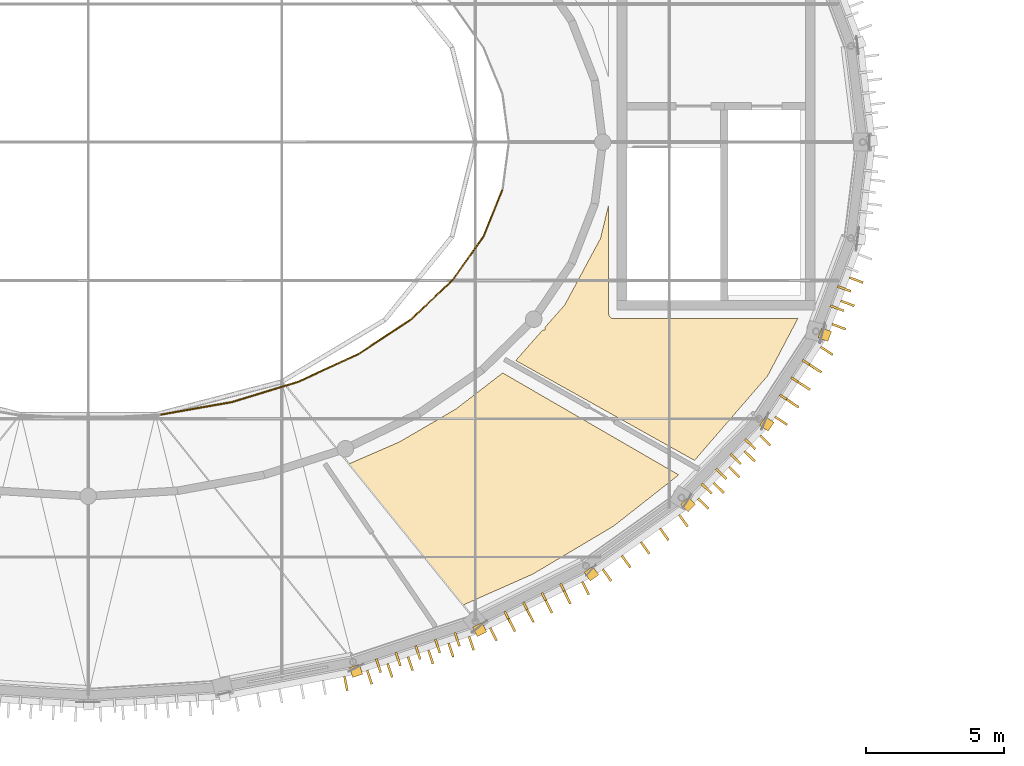
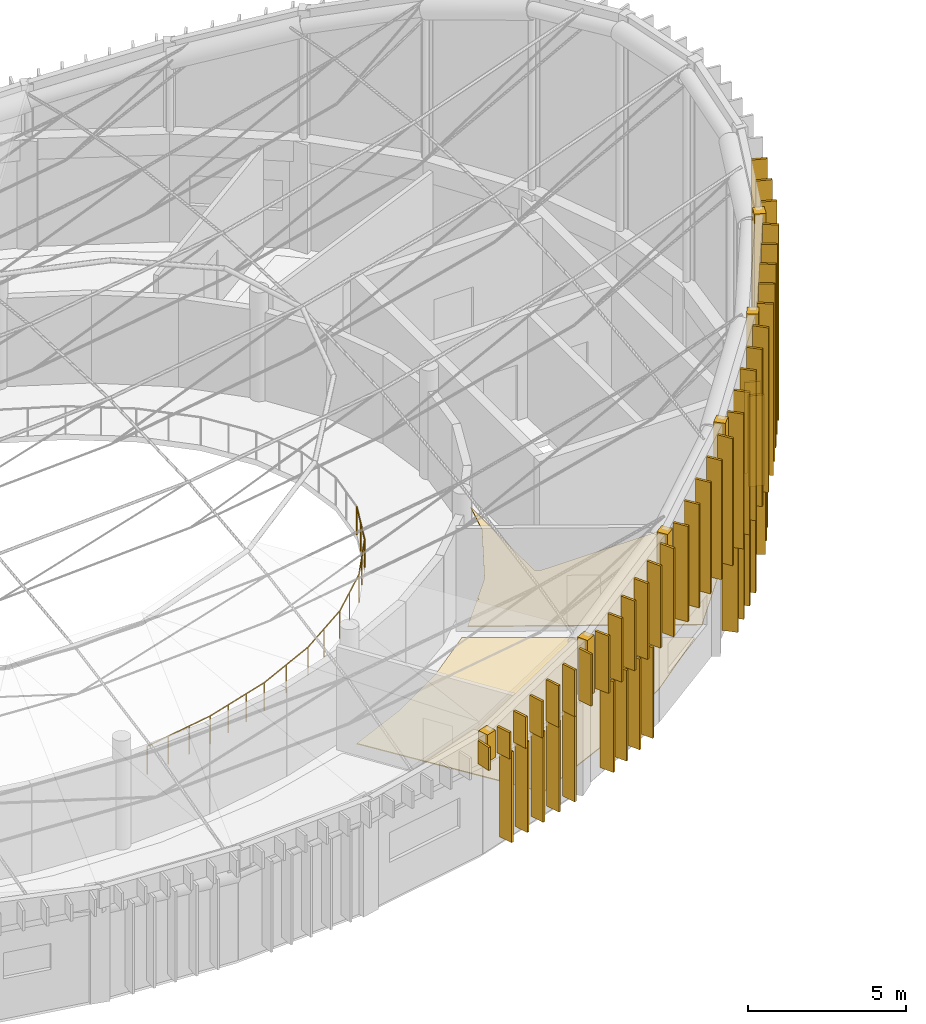
# One storey, part 32 of 36: 49 shading devices, 8 coverings, 7 railings.
"""IFC4 building model written with IfcOpenShell, lengths in metres."""

from ifc_helpers import new_model, si_unit, direction, frame, origin, origin_2d, place, context, subcontext, project, spatial, polyline, rectangle, circle, outline, extrude, material, layer, layer_set, type_object, element, save


model = new_model("IFC4")

# Units and contexts
model_context = context("Model", 3, precision=1e-05, world=origin(), true_north=direction((0.0, 1.0)))
body_context = subcontext(model_context, "Body", "Model", "MODEL_VIEW")
ifc_project = project(units=[si_unit("LENGTHUNIT", "METRE"), si_unit("AREAUNIT", "SQUARE_METRE"), si_unit("VOLUMEUNIT", "CUBIC_METRE"), si_unit("PLANEANGLEUNIT", "RADIAN"), si_unit("MASSUNIT", "GRAM", prefix="KILO")], contexts=[model_context])

# Site, building, storey
site_placement = place(None, origin())
site = spatial("IfcSite", under=ifc_project, at=site_placement, CompositionType="ELEMENT")
building_placement = place(site_placement, origin())
building = spatial("IfcBuilding", under=site, at=building_placement, Name="Tarnveldt Headland Concert Hall", CompositionType="ELEMENT")
storey_placement = place(building_placement, frame((0.0, 0.0, 22.800048828125)))
storey = spatial("IfcBuildingStorey", under=building, at=storey_placement, Name="L05", CompositionType="ELEMENT", Elevation=22.800048828125)

# Coverings
ifc_material_1 = material(Name="Polished coral-aggregate cementitious terrazzo flooring", Category="concrete")
ifc_layer_1 = layer(ifc_material_1, 0.034912109375, Name="Polished coral-aggregate cementitious terrazzo flooring", Category="concrete")
ifc_layer_set_1 = layer_set([ifc_layer_1], Name="Polished coral-aggregate cementitious terrazzo flooring")
covering_type_1 = type_object("IfcCoveringType", Name="CV-FLOR35", PredefinedType="FLOORING", material=ifc_layer_set_1)
covering_1_placement = place(storey_placement, origin())
element("IfcCovering", 1, at=covering_1_placement, inside=storey, type_object=covering_type_1, Name="Architectural flooring L05-06-130", PredefinedType="FLOORING", context=body_context, shape_type="SweptSolid", body=[
    extrude(outline(polyline([(102.32080078125, 48.282470703125), (102.323486328125, 48.264892578125), (102.327880859375, 48.247802734375), (102.333740234375, 48.231201171875), (102.34130859375, 48.215087890625), (102.350341796875, 48.199951171875), (102.36083984375, 48.185791015625), (102.372802734375, 48.172607421875), (102.3857421875, 48.160888671875), (102.39990234375, 48.150390625), (102.4150390625, 48.141357421875), (102.43115234375, 48.1337890625), (102.44775390625, 48.127685546875), (102.46484375, 48.12353515625), (102.482421875, 48.120849609375), (102.5, 48.1201171875), (109.156494140625, 48.1201171875), (108.067138671875, 46.053955078125), (105.422119140625, 42.993408203125), (98.956787109375, 46.604248046875), (99.923095703125, 47.699951171875), (100.008056640625, 47.699951171875), (100.008056640625, 47.79638671875), (100.712158203125, 48.594482421875), (100.724853515625, 48.610595703125), (100.735595703125, 48.628173828125), (102.010986328125, 50.998291015625), (102.017822265625, 51.01220703125), (102.023193359375, 51.026611328125), (102.027587890625, 51.04150390625), (102.320068359375, 52.25537109375), (102.320068359375, 48.300048828125), (102.32080078125, 48.282470703125)])), origin(), (0.0, 0.0, 1.0), 0.034912109375),
])
covering_2_placement = place(storey_placement, origin())
element("IfcCovering", 2, at=covering_2_placement, inside=storey, type_object=covering_type_1, Name="Architectural flooring L05-10-135", PredefinedType="FLOORING", context=body_context, shape_type="SweptSolid", body=[
    extrude(outline(polyline([(92.6962890625, 42.768798828125), (94.739501953125, 43.656005859375), (94.758544921875, 43.66552734375), (96.789306640625, 44.84912109375), (96.80859375, 44.8623046875), (98.486572265625, 46.156982421875), (104.850341796875, 42.4716796875), (102.5009765625, 40.62158203125), (99.581298828125, 38.884521484375), (96.471435546875, 37.50634765625), (92.6962890625, 42.768798828125)])), origin(), (0.0, 0.0, 1.0), 0.034912109375),
])
ifc_material_2 = material(Name="Coral-toned precast concrete C40/50", Category="concrete")
ifc_layer_2 = layer(ifc_material_2, 0.360107421875, Name="Coral-toned precast concrete C40/50", Category="concrete")
ifc_layer_set_2 = layer_set([ifc_layer_2], Name="Coral-toned precast concrete C40/50")
covering_type_2 = type_object("IfcCoveringType", Name="CV-JNT360", PredefinedType="CLADDING", material=ifc_layer_set_2)
covering_3_placement = place(storey_placement, frame((93.18408203125, 35.383544921875, 3.800048828125), z_axis=(0.0, 0.0, 1.0), x_axis=(0.315980237922, -0.948765771538, 0.0)))
element("IfcCovering", 3, at=covering_3_placement, inside=storey, type_object=covering_type_2, Name="Precast facade joint closure pilaster L05-369", PredefinedType="CLADDING", context=body_context, shape_type="SweptSolid", body=[
    extrude(rectangle(XDim=0.3798828125, YDim=0.3798828125, at=origin_2d()), origin(), (0.0, 0.0, 1.0), 1.04931640625),
])
covering_4_placement = place(storey_placement, frame((97.652099609375, 36.87548828125, 3.7998046875), z_axis=(0.0, 0.0, 1.0), x_axis=(0.447290848419, -0.89438856037, 0.0)))
element("IfcCovering", 4, at=covering_4_placement, inside=storey, type_object=covering_type_2, Name="Precast facade joint closure pilaster L05-371", PredefinedType="CLADDING", context=body_context, shape_type="SweptSolid", body=[
    extrude(rectangle(XDim=0.3798828125, YDim=0.3798828125, at=origin_2d()), origin(), (0.0, 0.0, 1.0), 2.219970703125),
])
covering_5_placement = place(storey_placement, frame((101.69580078125, 38.90234375, 3.7998046875), z_axis=(0.0, 0.0, 1.0), x_axis=(0.581271174002, -0.813709912852, 0.0)))
element("IfcCovering", 5, at=covering_5_placement, inside=storey, type_object=covering_type_2, Name="Precast facade joint closure pilaster L05-373", PredefinedType="CLADDING", context=body_context, shape_type="SweptSolid", body=[
    extrude(rectangle(XDim=0.3798828125, YDim=0.3798828125, at=origin_2d()), origin(), (0.0, 0.0, 1.0), 3.656005859375),
])
covering_6_placement = place(storey_placement, frame((105.19189453125, 41.40625, 3.7998046875), z_axis=(0.0, 0.0, 1.0), x_axis=(0.714106238843, -0.700037341608, 0.0)))
element("IfcCovering", 6, at=covering_6_placement, inside=storey, type_object=covering_type_2, Name="Precast facade joint closure pilaster L05-375", PredefinedType="CLADDING", context=body_context, shape_type="SweptSolid", body=[
    extrude(rectangle(XDim=0.3798828125, YDim=0.3798828125, at=origin_2d()), origin(), (0.0, 0.0, 1.0), 5.18408203125),
])
covering_7_placement = place(storey_placement, frame((108.033447265625, 44.314208984375, 3.7998046875), z_axis=(0.0, 0.0, 1.0), x_axis=(0.837337261414, -0.546686665878, 0.0)))
element("IfcCovering", 7, at=covering_7_placement, inside=storey, type_object=covering_type_2, Name="Precast facade joint closure pilaster L05-377", PredefinedType="CLADDING", context=body_context, shape_type="SweptSolid", body=[
    extrude(rectangle(XDim=0.3798828125, YDim=0.3798828125, at=origin_2d()), origin(), (0.0, 0.0, 1.0), 6.6201171875),
])
covering_8_placement = place(storey_placement, frame((110.129638671875, 47.540283203125, 3.800048828125), z_axis=(0.0, 0.0, 1.0), x_axis=(0.936304939415, -0.35118806988, 0.0)))
element("IfcCovering", 8, at=covering_8_placement, inside=storey, type_object=covering_type_2, Name="Precast facade joint closure pilaster L05-379", PredefinedType="CLADDING", context=body_context, shape_type="SweptSolid", body=[
    extrude(rectangle(XDim=0.3798828125, YDim=0.3798828125, at=origin_2d()), origin(), (0.0, 0.0, 1.0), 7.79052734375),
])

# Railings
ifc_material_3 = material(Name="Marine stainless steel", Category="steel")
ifc_layer_3 = layer(ifc_material_3, 0.06005859375, Name="Marine stainless steel", Category="steel")
ifc_layer_set_3 = layer_set([ifc_layer_3], Name="Marine stainless steel")
railing_type = type_object("IfcRailingType", Name="RL-GRD110", PredefinedType="GUARDRAIL", material=ifc_layer_set_3)
railing_1_placement = place(storey_placement, frame((86.139404296875, 44.65185546875, 0.0)))
element("IfcRailing", 9, at=railing_1_placement, inside=storey, type_object=railing_type, Name="GUARD Auditorium void guardrail L05 29", PredefinedType="GUARDRAIL", context=body_context, shape_type="SweptSolid", body=[
    extrude(circle(Radius=0.02392578125, at=origin_2d()), frame((0.0, 0.0, 1.076171875), z_axis=(0.984814752515, 0.173608476834, 0.0), x_axis=(-0.173608476834, 0.984814752515, 0.0)), (0.0, 0.0, 1.0), 2.598876953125),
    extrude(circle(Radius=0.02099609375, at=origin_2d()), origin(), (0.0, 0.0, 1.0), 1.052001953125),
    extrude(circle(Radius=0.02099609375, at=origin_2d()), frame((0.85302734375, 0.150390625, 0.0)), (0.0, 0.0, 1.0), 1.052001953125),
    extrude(circle(Radius=0.02099609375, at=origin_2d()), frame((1.706298828125, 0.30078125, 0.0)), (0.0, 0.0, 1.0), 1.052001953125),
    extrude(circle(Radius=0.02099609375, at=origin_2d()), frame((2.559326171875, 0.451171875, 0.0)), (0.0, 0.0, 1.0), 1.052001953125),
])
railing_2_placement = place(storey_placement, frame((88.69873046875, 45.10302734375, 0.0)))
element("IfcRailing", 10, at=railing_2_placement, inside=storey, type_object=railing_type, Name="GUARD Auditorium void guardrail L05 30", PredefinedType="GUARDRAIL", context=body_context, shape_type="SweptSolid", body=[
    extrude(circle(Radius=0.02392578125, at=origin_2d()), frame((0.0, 0.0, 1.076171875), z_axis=(0.956037133001, 0.293245631381, 0.0), x_axis=(-0.293245631381, 0.956037133001, 0.0)), (0.0, 0.0, 1.0), 2.51171875),
    extrude(circle(Radius=0.02099609375, at=origin_2d()), origin(), (0.0, 0.0, 1.0), 1.052001953125),
    extrude(circle(Radius=0.02099609375, at=origin_2d()), frame((0.800537109375, 0.24560546875, 0.0)), (0.0, 0.0, 1.0), 1.052001953125),
    extrude(circle(Radius=0.02099609375, at=origin_2d()), frame((1.600830078125, 0.490966796875, 0.0)), (0.0, 0.0, 1.0), 1.052001953125),
    extrude(circle(Radius=0.02099609375, at=origin_2d()), frame((2.4013671875, 0.736572265625, 0.0)), (0.0, 0.0, 1.0), 1.052001953125),
])
railing_3_placement = place(storey_placement, frame((91.10009765625, 45.839599609375, 0.0)))
element("IfcRailing", 11, at=railing_3_placement, inside=storey, type_object=railing_type, Name="GUARD Auditorium void guardrail L05 31", PredefinedType="GUARDRAIL", context=body_context, shape_type="SweptSolid", body=[
    extrude(circle(Radius=0.02392578125, at=origin_2d()), frame((0.0, 0.0, 1.076171875), z_axis=(0.908234283008, 0.418462049854, 0.0), x_axis=(-0.418462049854, 0.908234283008, 0.0)), (0.0, 0.0, 1.0), 2.3896484375),
    extrude(circle(Radius=0.02099609375, at=origin_2d()), origin(), (0.0, 0.0, 1.0), 1.052001953125),
    extrude(circle(Radius=0.02099609375, at=origin_2d()), frame((1.085205078125, 0.5, 0.0)), (0.0, 0.0, 1.0), 1.052001953125),
    extrude(circle(Radius=0.02099609375, at=origin_2d()), frame((2.17041015625, 1.0, 0.0)), (0.0, 0.0, 1.0), 1.052001953125),
])
railing_4_placement = place(storey_placement, frame((93.2705078125, 46.839599609375, 0.0)))
element("IfcRailing", 12, at=railing_4_placement, inside=storey, type_object=railing_type, Name="GUARD Auditorium void guardrail L05 32", PredefinedType="GUARDRAIL", context=body_context, shape_type="SweptSolid", body=[
    extrude(circle(Radius=0.02392578125, at=origin_2d()), frame((0.0, 0.0, 1.076171875), z_axis=(0.835418397825, 0.549614501788, 0.0), x_axis=(-0.549614501788, 0.835418397825, 0.0)), (0.0, 0.0, 1.0), 2.242431640625),
    extrude(circle(Radius=0.02099609375, at=origin_2d()), origin(), (0.0, 0.0, 1.0), 1.052001953125),
    extrude(circle(Radius=0.02099609375, at=origin_2d()), frame((0.9365234375, 0.6162109375, 0.0)), (0.0, 0.0, 1.0), 1.052001953125),
    extrude(circle(Radius=0.02099609375, at=origin_2d()), frame((1.873291015625, 1.232421875, 0.0)), (0.0, 0.0, 1.0), 1.052001953125),
])
railing_5_placement = place(storey_placement, frame((95.143798828125, 48.072021484375, 0.0)))
element("IfcRailing", 13, at=railing_5_placement, inside=storey, type_object=railing_type, Name="GUARD Auditorium void guardrail L05 33", PredefinedType="GUARDRAIL", context=body_context, shape_type="SweptSolid", body=[
    extrude(circle(Radius=0.02392578125, at=origin_2d()), frame((0.0, 0.0, 1.076171875), z_axis=(0.728773712747, 0.684754609776, 0.0), x_axis=(-0.684754609776, 0.728773712747, 0.0)), (0.0, 0.0, 1.0), 2.08544921875),
    extrude(circle(Radius=0.02099609375, at=origin_2d()), origin(), (0.0, 0.0, 1.0), 1.052001953125),
    extrude(circle(Radius=0.02099609375, at=origin_2d()), frame((0.759765625, 0.7138671875, 0.0)), (0.0, 0.0, 1.0), 1.052001953125),
    extrude(circle(Radius=0.02099609375, at=origin_2d()), frame((1.519775390625, 1.427978515625, 0.0)), (0.0, 0.0, 1.0), 1.052001953125),
])
railing_6_placement = place(storey_placement, frame((96.66357421875, 49.5, 0.0)))
element("IfcRailing", 14, at=railing_6_placement, inside=storey, type_object=railing_type, Name="GUARD Auditorium void guardrail L05 34", PredefinedType="GUARDRAIL", context=body_context, shape_type="SweptSolid", body=[
    extrude(circle(Radius=0.02392578125, at=origin_2d()), frame((0.0, 0.0, 1.076171875), z_axis=(0.578216724182, 0.815883214606, 0.0), x_axis=(-0.815883214606, 0.578216724182, 0.0)), (0.0, 0.0, 1.0), 1.936279296875),
    extrude(circle(Radius=0.02099609375, at=origin_2d()), origin(), (0.0, 0.0, 1.0), 1.052001953125),
    extrude(circle(Radius=0.02099609375, at=origin_2d()), frame((0.559814453125, 0.7900390625, 0.0)), (0.0, 0.0, 1.0), 1.052001953125),
    extrude(circle(Radius=0.02099609375, at=origin_2d()), frame((1.11962890625, 1.579833984375, 0.0)), (0.0, 0.0, 1.0), 1.052001953125),
])
railing_7_placement = place(storey_placement, frame((97.783203125, 51.079833984375, 0.0)))
element("IfcRailing", 15, at=railing_7_placement, inside=storey, type_object=railing_type, Name="GUARD Auditorium void guardrail L05 35", PredefinedType="GUARDRAIL", context=body_context, shape_type="SweptSolid", body=[
    extrude(circle(Radius=0.02392578125, at=origin_2d()), frame((0.0, 0.0, 1.076171875), z_axis=(0.377241429706, 0.926114951674, 0.0), x_axis=(-0.926114951674, 0.377241429706, 0.0)), (0.0, 0.0, 1.0), 1.81787109375),
    extrude(circle(Radius=0.02099609375, at=origin_2d()), origin(), (0.0, 0.0, 1.0), 1.052001953125),
    extrude(circle(Radius=0.02099609375, at=origin_2d()), frame((0.3427734375, 0.841796875, 0.0)), (0.0, 0.0, 1.0), 1.052001953125),
    extrude(circle(Radius=0.02099609375, at=origin_2d()), frame((0.685791015625, 1.68359375, 0.0)), (0.0, 0.0, 1.0), 1.052001953125),
])

# Shading devices
ifc_material_4 = material(Name="Terracotta-anodised aluminium EN AW-6063-T6", Category="masonry")
shading_device_type = type_object("IfcShadingDeviceType", Name="SD-FIN520", PredefinedType="USERDEFINED", material=ifc_material_4)
for number, where, z_axis, x_axis, name in (
    (16, (93.9970703125, 35.57275390625, 0.25), (0.0, 0.0, 1.0), (0.315980237922, -0.948765771538, 0.0), "Drum terracotta acoustic solar fin L05-290"),
    (17, (94.708740234375, 35.809814453125, 0.25), (0.0, 0.0, 1.0), (0.315980237922, -0.948765771538, 0.0), "Drum terracotta acoustic solar fin L05-291"),
    (18, (95.420166015625, 36.046630859375, 0.25), (0.0, 0.0, 1.0), (0.315980237922, -0.948765771538, 0.0), "Drum terracotta acoustic solar fin L05-292"),
    (19, (96.1318359375, 36.28369140625, 0.25), (0.0, 0.0, 1.0), (0.315980237922, -0.948765771538, 0.0), "Drum terracotta acoustic solar fin L05-293"),
    (20, (96.843505859375, 36.520751953125, 0.25), (0.0, 0.0, 1.0), (0.315980237922, -0.948765771538, 0.0), "Drum terracotta acoustic solar fin L05-294"),
    (21, (98.6796875, 37.302734375, 0.25), (0.0, 0.0, 1.0), (0.447290848419, -0.89438856037, 0.0), "Drum terracotta acoustic solar fin L05-295"),
    (22, (99.350341796875, 37.63818359375, 0.25), (0.0, 0.0, 1.0), (0.447290848419, -0.89438856037, 0.0), "Drum terracotta acoustic solar fin L05-296"),
    (23, (100.021240234375, 37.9736328125, 0.25), (0.0, 0.0, 1.0), (0.447290848419, -0.89438856037, 0.0), "Drum terracotta acoustic solar fin L05-297"),
    (24, (100.69189453125, 38.30908203125, 0.25), (0.0, 0.0, 1.0), (0.447290848419, -0.89438856037, 0.0), "Drum terracotta acoustic solar fin L05-298"),
    (25, (105.859619140625, 41.9765625, 0.25), (0.0, 0.0, 1.0), (0.714106238843, -0.700037341608, 0.0), "Drum terracotta acoustic solar fin L05-299"),
    (26, (106.384521484375, 42.511962890625, 0.25), (0.0, 0.0, 1.0), (0.714106238843, -0.700037341608, 0.0), "Drum terracotta acoustic solar fin L05-300"),
    (27, (106.90966796875, 43.047607421875, 0.25), (0.0, 0.0, 1.0), (0.714106238843, -0.700037341608, 0.0), "Drum terracotta acoustic solar fin L05-301"),
    (28, (107.4345703125, 43.583251953125, 0.25), (0.0, 0.0, 1.0), (0.714106238843, -0.700037341608, 0.0), "Drum terracotta acoustic solar fin L05-302"),
    (29, (108.7197265625, 45.2236328125, 0.25), (0.0, 0.0, 1.0), (0.837337261414, -0.546686665878, 0.0), "Drum terracotta acoustic solar fin L05-303"),
    (30, (109.129638671875, 45.8515625, 0.25), (0.0, 0.0, 1.0), (0.837337261414, -0.546686665878, 0.0), "Drum terracotta acoustic solar fin L05-304"),
    (31, (109.53955078125, 46.4794921875, 0.25), (0.0, 0.0, 1.0), (0.837337261414, -0.546686665878, 0.0), "Drum terracotta acoustic solar fin L05-305"),
    (32, (110.570556640625, 48.494384765625, 0.25), (0.0, 0.0, 1.0), (0.936304939415, -0.35118806988, 0.0), "Drum terracotta acoustic solar fin L05-306"),
    (33, (110.833984375, 49.19677734375, 0.25), (0.0, 0.0, 1.0), (0.936304939415, -0.35118806988, 0.0), "Drum terracotta acoustic solar fin L05-307"),
):
    element("IfcShadingDevice", number, at=place(storey_placement, frame(where, z_axis=z_axis, x_axis=x_axis)), inside=storey, type_object=shading_device_type, Name=name, ObjectType="FIN", PredefinedType="USERDEFINED", context=body_context, shape_type="SweptSolid", body=[
        extrude(rectangle(XDim=0.52001953125, YDim=0.080078125, at=origin_2d()), origin(), (0.0, 0.0, 1.0), 3.5),
    ])
shading_device_1_placement = place(storey_placement, frame((92.818115234375, 34.9287109375, 3.85009765625), z_axis=(0.0, 0.0, 1.0), x_axis=(0.187895613278, -0.982189003456, 0.0)))
element("IfcShadingDevice", 34, at=shading_device_1_placement, inside=storey, type_object=shading_device_type, Name="Crown terracotta louvre fin 29-6", ObjectType="FIN", PredefinedType="USERDEFINED", context=body_context, shape_type="SweptSolid", body=[
    extrude(rectangle(XDim=0.52001953125, YDim=0.080078125, at=origin_2d()), origin(), (0.0, 0.0, 1.0), 0.890380859375),
])
shading_device_2_placement = place(storey_placement, frame((93.671142578125, 35.150390625, 3.849853515625), z_axis=(0.0, 0.0, 1.0), x_axis=(0.315980237922, -0.948765771538, 0.0)))
element("IfcShadingDevice", 35, at=shading_device_2_placement, inside=storey, type_object=shading_device_type, Name="Crown terracotta louvre fin 30-1", ObjectType="FIN", PredefinedType="USERDEFINED", context=body_context, shape_type="SweptSolid", body=[
    extrude(rectangle(XDim=0.52001953125, YDim=0.080078125, at=origin_2d()), origin(), (0.0, 0.0, 1.0), 1.01708984375),
])
shading_device_3_placement = place(storey_placement, frame((94.408447265625, 35.39599609375, 3.85009765625), z_axis=(0.0, 0.0, 1.0), x_axis=(0.315980237922, -0.948765771538, 0.0)))
element("IfcShadingDevice", 36, at=shading_device_3_placement, inside=storey, type_object=shading_device_type, Name="Crown terracotta louvre fin 30-2", ObjectType="FIN", PredefinedType="USERDEFINED", context=body_context, shape_type="SweptSolid", body=[
    extrude(rectangle(XDim=0.52001953125, YDim=0.080078125, at=origin_2d()), origin(), (0.0, 0.0, 1.0), 1.212158203125),
])
shading_device_4_placement = place(storey_placement, frame((95.1455078125, 35.6416015625, 3.849853515625), z_axis=(0.0, 0.0, 1.0), x_axis=(0.315980237922, -0.948765771538, 0.0)))
element("IfcShadingDevice", 37, at=shading_device_4_placement, inside=storey, type_object=shading_device_type, Name="Crown terracotta louvre fin 30-3", ObjectType="FIN", PredefinedType="USERDEFINED", context=body_context, shape_type="SweptSolid", body=[
    extrude(rectangle(XDim=0.52001953125, YDim=0.080078125, at=origin_2d()), origin(), (0.0, 0.0, 1.0), 1.4072265625),
])
shading_device_5_placement = place(storey_placement, frame((95.8828125, 35.88720703125, 3.85009765625), z_axis=(0.0, 0.0, 1.0), x_axis=(0.315980237922, -0.948765771538, 0.0)))
element("IfcShadingDevice", 38, at=shading_device_5_placement, inside=storey, type_object=shading_device_type, Name="Crown terracotta louvre fin 30-4", ObjectType="FIN", PredefinedType="USERDEFINED", context=body_context, shape_type="SweptSolid", body=[
    extrude(rectangle(XDim=0.52001953125, YDim=0.080078125, at=origin_2d()), origin(), (0.0, 0.0, 1.0), 1.602294921875),
])
shading_device_6_placement = place(storey_placement, frame((96.6201171875, 36.1328125, 3.849853515625), z_axis=(0.0, 0.0, 1.0), x_axis=(0.315980237922, -0.948765771538, 0.0)))
element("IfcShadingDevice", 39, at=shading_device_6_placement, inside=storey, type_object=shading_device_type, Name="Crown terracotta louvre fin 30-5", ObjectType="FIN", PredefinedType="USERDEFINED", context=body_context, shape_type="SweptSolid", body=[
    extrude(rectangle(XDim=0.52001953125, YDim=0.080078125, at=origin_2d()), origin(), (0.0, 0.0, 1.0), 1.79736328125),
])
shading_device_7_placement = place(storey_placement, frame((97.357421875, 36.37841796875, 3.85009765625), z_axis=(0.0, 0.0, 1.0), x_axis=(0.315980237922, -0.948765771538, 0.0)))
element("IfcShadingDevice", 40, at=shading_device_7_placement, inside=storey, type_object=shading_device_type, Name="Crown terracotta louvre fin 30-6", ObjectType="FIN", PredefinedType="USERDEFINED", context=body_context, shape_type="SweptSolid", body=[
    extrude(rectangle(XDim=0.52001953125, YDim=0.080078125, at=origin_2d()), origin(), (0.0, 0.0, 1.0), 1.992431640625),
])
shading_device_8_placement = place(storey_placement, frame((98.153076171875, 36.70654296875, 3.85009765625), z_axis=(0.0, 0.0, 1.0), x_axis=(0.447290848419, -0.89438856037, 0.0)))
element("IfcShadingDevice", 41, at=shading_device_8_placement, inside=storey, type_object=shading_device_type, Name="Crown terracotta louvre fin 31-1", ObjectType="FIN", PredefinedType="USERDEFINED", context=body_context, shape_type="SweptSolid", body=[
    extrude(rectangle(XDim=0.52001953125, YDim=0.080078125, at=origin_2d()), origin(), (0.0, 0.0, 1.0), 2.209716796875),
])
shading_device_9_placement = place(storey_placement, frame((98.8193359375, 37.039794921875, 3.85009765625), z_axis=(0.0, 0.0, 1.0), x_axis=(0.447290848419, -0.89438856037, 0.0)))
element("IfcShadingDevice", 42, at=shading_device_9_placement, inside=storey, type_object=shading_device_type, Name="Crown terracotta louvre fin 31-2", ObjectType="FIN", PredefinedType="USERDEFINED", context=body_context, shape_type="SweptSolid", body=[
    extrude(rectangle(XDim=0.52001953125, YDim=0.080078125, at=origin_2d()), origin(), (0.0, 0.0, 1.0), 2.448974609375),
])
shading_device_10_placement = place(storey_placement, frame((99.485595703125, 37.373291015625, 3.85009765625), z_axis=(0.0, 0.0, 1.0), x_axis=(0.447290848419, -0.89438856037, 0.0)))
element("IfcShadingDevice", 43, at=shading_device_10_placement, inside=storey, type_object=shading_device_type, Name="Crown terracotta louvre fin 31-3", ObjectType="FIN", PredefinedType="USERDEFINED", context=body_context, shape_type="SweptSolid", body=[
    extrude(rectangle(XDim=0.52001953125, YDim=0.080078125, at=origin_2d()), origin(), (0.0, 0.0, 1.0), 2.688232421875),
])
shading_device_11_placement = place(storey_placement, frame((100.152099609375, 37.706298828125, 3.849853515625), z_axis=(0.0, 0.0, 1.0), x_axis=(0.447290848419, -0.89438856037, 0.0)))
element("IfcShadingDevice", 44, at=shading_device_11_placement, inside=storey, type_object=shading_device_type, Name="Crown terracotta louvre fin 31-4", ObjectType="FIN", PredefinedType="USERDEFINED", context=body_context, shape_type="SweptSolid", body=[
    extrude(rectangle(XDim=0.52001953125, YDim=0.080078125, at=origin_2d()), origin(), (0.0, 0.0, 1.0), 2.927734375),
])
shading_device_12_placement = place(storey_placement, frame((100.818359375, 38.039794921875, 3.849853515625), z_axis=(0.0, 0.0, 1.0), x_axis=(0.447290848419, -0.89438856037, 0.0)))
element("IfcShadingDevice", 45, at=shading_device_12_placement, inside=storey, type_object=shading_device_type, Name="Crown terracotta louvre fin 31-5", ObjectType="FIN", PredefinedType="USERDEFINED", context=body_context, shape_type="SweptSolid", body=[
    extrude(rectangle(XDim=0.52001953125, YDim=0.080078125, at=origin_2d()), origin(), (0.0, 0.0, 1.0), 3.1669921875),
])
shading_device_13_placement = place(storey_placement, frame((101.48486328125, 38.373046875, 3.849853515625), z_axis=(0.0, 0.0, 1.0), x_axis=(0.447290848419, -0.89438856037, 0.0)))
element("IfcShadingDevice", 46, at=shading_device_13_placement, inside=storey, type_object=shading_device_type, Name="Crown terracotta louvre fin 31-6", ObjectType="FIN", PredefinedType="USERDEFINED", context=body_context, shape_type="SweptSolid", body=[
    extrude(rectangle(XDim=0.52001953125, YDim=0.080078125, at=origin_2d()), origin(), (0.0, 0.0, 1.0), 3.40625),
])
shading_device_14_placement = place(storey_placement, frame((102.2587890625, 38.84375, 3.85009765625), z_axis=(0.0, 0.0, 1.0), x_axis=(0.581271174002, -0.813709912852, 0.0)))
element("IfcShadingDevice", 47, at=shading_device_14_placement, inside=storey, type_object=shading_device_type, Name="Crown terracotta louvre fin 32-1", ObjectType="FIN", PredefinedType="USERDEFINED", context=body_context, shape_type="SweptSolid", body=[
    extrude(rectangle(XDim=0.52001953125, YDim=0.080078125, at=origin_2d()), origin(), (0.0, 0.0, 1.0), 3.6787109375),
])
shading_device_15_placement = place(storey_placement, frame((102.948974609375, 39.3369140625, 3.849853515625), z_axis=(0.0, 0.0, 1.0), x_axis=(0.581271174002, -0.813709912852, 0.0)))
element("IfcShadingDevice", 48, at=shading_device_15_placement, inside=storey, type_object=shading_device_type, Name="Crown terracotta louvre fin 32-2", ObjectType="FIN", PredefinedType="USERDEFINED", context=body_context, shape_type="SweptSolid", body=[
    extrude(rectangle(XDim=0.52001953125, YDim=0.080078125, at=origin_2d()), origin(), (0.0, 0.0, 1.0), 3.984375),
])
shading_device_16_placement = place(storey_placement, frame((103.63916015625, 39.829833984375, 3.849853515625), z_axis=(0.0, 0.0, 1.0), x_axis=(0.581271174002, -0.813709912852, 0.0)))
element("IfcShadingDevice", 49, at=shading_device_16_placement, inside=storey, type_object=shading_device_type, Name="Crown terracotta louvre fin 32-3", ObjectType="FIN", PredefinedType="USERDEFINED", context=body_context, shape_type="SweptSolid", body=[
    extrude(rectangle(XDim=0.52001953125, YDim=0.080078125, at=origin_2d()), origin(), (0.0, 0.0, 1.0), 4.2900390625),
])
shading_device_17_placement = place(storey_placement, frame((104.329345703125, 40.32275390625, 3.849853515625), z_axis=(0.0, 0.0, 1.0), x_axis=(0.581271174002, -0.813709912852, 0.0)))
element("IfcShadingDevice", 50, at=shading_device_17_placement, inside=storey, type_object=shading_device_type, Name="Crown terracotta louvre fin 32-4", ObjectType="FIN", PredefinedType="USERDEFINED", context=body_context, shape_type="SweptSolid", body=[
    extrude(rectangle(XDim=0.52001953125, YDim=0.080078125, at=origin_2d()), origin(), (0.0, 0.0, 1.0), 4.595703125),
])
shading_device_18_placement = place(storey_placement, frame((105.019775390625, 40.81591796875, 3.85009765625), z_axis=(0.0, 0.0, 1.0), x_axis=(0.581271174002, -0.813709912852, 0.0)))
element("IfcShadingDevice", 51, at=shading_device_18_placement, inside=storey, type_object=shading_device_type, Name="Crown terracotta louvre fin 32-5", ObjectType="FIN", PredefinedType="USERDEFINED", context=body_context, shape_type="SweptSolid", body=[
    extrude(rectangle(XDim=0.52001953125, YDim=0.080078125, at=origin_2d()), origin(), (0.0, 0.0, 1.0), 4.901123046875),
])
shading_device_19_placement = place(storey_placement, frame((105.73974609375, 41.42919921875, 3.85009765625), z_axis=(0.0, 0.0, 1.0), x_axis=(0.714106238843, -0.700037341608, 0.0)))
element("IfcShadingDevice", 52, at=shading_device_19_placement, inside=storey, type_object=shading_device_type, Name="Crown terracotta louvre fin 33-1", ObjectType="FIN", PredefinedType="USERDEFINED", context=body_context, shape_type="SweptSolid", body=[
    extrude(rectangle(XDim=0.52001953125, YDim=0.080078125, at=origin_2d()), origin(), (0.0, 0.0, 1.0), 5.197509765625),
])
shading_device_20_placement = place(storey_placement, frame((106.299560546875, 42.00048828125, 3.849853515625), z_axis=(0.0, 0.0, 1.0), x_axis=(0.714106238843, -0.700037341608, 0.0)))
element("IfcShadingDevice", 53, at=shading_device_20_placement, inside=storey, type_object=shading_device_type, Name="Crown terracotta louvre fin 33-2", ObjectType="FIN", PredefinedType="USERDEFINED", context=body_context, shape_type="SweptSolid", body=[
    extrude(rectangle(XDim=0.52001953125, YDim=0.080078125, at=origin_2d()), origin(), (0.0, 0.0, 1.0), 5.48486328125),
])
shading_device_21_placement = place(storey_placement, frame((106.859619140625, 42.571533203125, 3.849853515625), z_axis=(0.0, 0.0, 1.0), x_axis=(0.714106238843, -0.700037341608, 0.0)))
element("IfcShadingDevice", 54, at=shading_device_21_placement, inside=storey, type_object=shading_device_type, Name="Crown terracotta louvre fin 33-3", ObjectType="FIN", PredefinedType="USERDEFINED", context=body_context, shape_type="SweptSolid", body=[
    extrude(rectangle(XDim=0.52001953125, YDim=0.080078125, at=origin_2d()), origin(), (0.0, 0.0, 1.0), 5.77197265625),
])
shading_device_22_placement = place(storey_placement, frame((107.41943359375, 43.142578125, 3.85009765625), z_axis=(0.0, 0.0, 1.0), x_axis=(0.714106238843, -0.700037341608, 0.0)))
element("IfcShadingDevice", 55, at=shading_device_22_placement, inside=storey, type_object=shading_device_type, Name="Crown terracotta louvre fin 33-4", ObjectType="FIN", PredefinedType="USERDEFINED", context=body_context, shape_type="SweptSolid", body=[
    extrude(rectangle(XDim=0.52001953125, YDim=0.080078125, at=origin_2d()), origin(), (0.0, 0.0, 1.0), 6.05908203125),
])
shading_device_23_placement = place(storey_placement, frame((107.979248046875, 43.7138671875, 3.85009765625), z_axis=(0.0, 0.0, 1.0), x_axis=(0.714106238843, -0.700037341608, 0.0)))
element("IfcShadingDevice", 56, at=shading_device_23_placement, inside=storey, type_object=shading_device_type, Name="Crown terracotta louvre fin 33-5", ObjectType="FIN", PredefinedType="USERDEFINED", context=body_context, shape_type="SweptSolid", body=[
    extrude(rectangle(XDim=0.52001953125, YDim=0.080078125, at=origin_2d()), origin(), (0.0, 0.0, 1.0), 6.346435546875),
])
shading_device_24_placement = place(storey_placement, frame((108.5537109375, 44.425048828125, 3.85009765625), z_axis=(0.0, 0.0, 1.0), x_axis=(0.837337261414, -0.546686665878, 0.0)))
element("IfcShadingDevice", 57, at=shading_device_24_placement, inside=storey, type_object=shading_device_type, Name="Crown terracotta louvre fin 34-1", ObjectType="FIN", PredefinedType="USERDEFINED", context=body_context, shape_type="SweptSolid", body=[
    extrude(rectangle(XDim=0.52001953125, YDim=0.080078125, at=origin_2d()), origin(), (0.0, 0.0, 1.0), 6.607177734375),
])
shading_device_25_placement = place(storey_placement, frame((108.96630859375, 45.056884765625, 3.849853515625), z_axis=(0.0, 0.0, 1.0), x_axis=(0.837337261414, -0.546686665878, 0.0)))
element("IfcShadingDevice", 58, at=shading_device_25_placement, inside=storey, type_object=shading_device_type, Name="Crown terracotta louvre fin 34-2", ObjectType="FIN", PredefinedType="USERDEFINED", context=body_context, shape_type="SweptSolid", body=[
    extrude(rectangle(XDim=0.52001953125, YDim=0.080078125, at=origin_2d()), origin(), (0.0, 0.0, 1.0), 6.84130859375),
])
shading_device_26_placement = place(storey_placement, frame((109.37890625, 45.68896484375, 3.849853515625), z_axis=(0.0, 0.0, 1.0), x_axis=(0.837337261414, -0.546686665878, 0.0)))
element("IfcShadingDevice", 59, at=shading_device_26_placement, inside=storey, type_object=shading_device_type, Name="Crown terracotta louvre fin 34-3", ObjectType="FIN", PredefinedType="USERDEFINED", context=body_context, shape_type="SweptSolid", body=[
    extrude(rectangle(XDim=0.52001953125, YDim=0.080078125, at=origin_2d()), origin(), (0.0, 0.0, 1.0), 7.0751953125),
])
shading_device_27_placement = place(storey_placement, frame((109.791259765625, 46.32080078125, 3.85009765625), z_axis=(0.0, 0.0, 1.0), x_axis=(0.837337261414, -0.546686665878, 0.0)))
element("IfcShadingDevice", 60, at=shading_device_27_placement, inside=storey, type_object=shading_device_type, Name="Crown terracotta louvre fin 34-4", ObjectType="FIN", PredefinedType="USERDEFINED", context=body_context, shape_type="SweptSolid", body=[
    extrude(rectangle(XDim=0.52001953125, YDim=0.080078125, at=origin_2d()), origin(), (0.0, 0.0, 1.0), 7.309326171875),
])
shading_device_28_placement = place(storey_placement, frame((110.203857421875, 46.95263671875, 3.849853515625), z_axis=(0.0, 0.0, 1.0), x_axis=(0.837337261414, -0.546686665878, 0.0)))
element("IfcShadingDevice", 61, at=shading_device_28_placement, inside=storey, type_object=shading_device_type, Name="Crown terracotta louvre fin 34-5", ObjectType="FIN", PredefinedType="USERDEFINED", context=body_context, shape_type="SweptSolid", body=[
    extrude(rectangle(XDim=0.52001953125, YDim=0.080078125, at=origin_2d()), origin(), (0.0, 0.0, 1.0), 7.54345703125),
])
shading_device_29_placement = place(storey_placement, frame((110.638671875, 47.829345703125, 3.85009765625), z_axis=(0.0, 0.0, 1.0), x_axis=(0.936304939415, -0.35118806988, 0.0)))
element("IfcShadingDevice", 62, at=shading_device_29_placement, inside=storey, type_object=shading_device_type, Name="Crown terracotta louvre fin 35-1", ObjectType="FIN", PredefinedType="USERDEFINED", context=body_context, shape_type="SweptSolid", body=[
    extrude(rectangle(XDim=0.52001953125, YDim=0.080078125, at=origin_2d()), origin(), (0.0, 0.0, 1.0), 7.756103515625),
])
shading_device_30_placement = place(storey_placement, frame((110.95458984375, 48.67138671875, 3.85009765625), z_axis=(0.0, 0.0, 1.0), x_axis=(0.936304939415, -0.35118806988, 0.0)))
element("IfcShadingDevice", 63, at=shading_device_30_placement, inside=storey, type_object=shading_device_type, Name="Crown terracotta louvre fin 35-2", ObjectType="FIN", PredefinedType="USERDEFINED", context=body_context, shape_type="SweptSolid", body=[
    extrude(rectangle(XDim=0.52001953125, YDim=0.080078125, at=origin_2d()), origin(), (0.0, 0.0, 1.0), 7.947021484375),
])
shading_device_31_placement = place(storey_placement, frame((111.270263671875, 49.51318359375, 3.849853515625), z_axis=(0.0, 0.0, 1.0), x_axis=(0.936304939415, -0.35118806988, 0.0)))
element("IfcShadingDevice", 64, at=shading_device_31_placement, inside=storey, type_object=shading_device_type, Name="Crown terracotta louvre fin 35-3", ObjectType="FIN", PredefinedType="USERDEFINED", context=body_context, shape_type="SweptSolid", body=[
    extrude(rectangle(XDim=0.52001953125, YDim=0.080078125, at=origin_2d()), origin(), (0.0, 0.0, 1.0), 8.13818359375),
])

save(model, "model.ifc")
